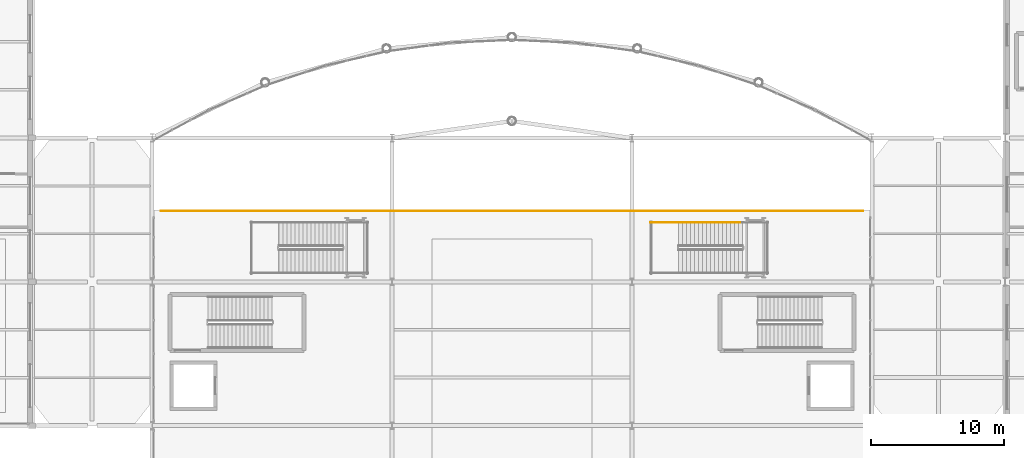
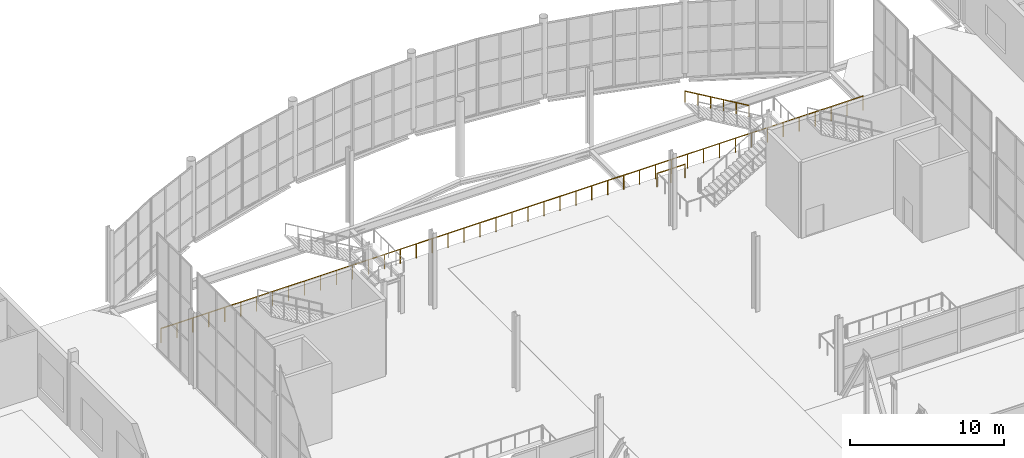
# One storey, part 186 of 191: 3 railings.
"""IFC4 building model written with IfcOpenShell, lengths in metres."""

from ifc_helpers import new_model, si_unit, direction, frame, origin, origin_2d, place, context, subcontext, project, spatial, circle, extrude, material, type_object, element, save


model = new_model("IFC4")

# Units and contexts
model_context = context("Model", 3, precision=1e-05, world=origin(), true_north=direction((0.0, 1.0)))
body_context = subcontext(model_context, "Body", "Model", "MODEL_VIEW")
ifc_project = project(units=[si_unit("LENGTHUNIT", "METRE"), si_unit("AREAUNIT", "SQUARE_METRE"), si_unit("VOLUMEUNIT", "CUBIC_METRE"), si_unit("PLANEANGLEUNIT", "RADIAN"), si_unit("MASSUNIT", "GRAM", prefix="KILO")], contexts=[model_context])

# Site, building, storey
site_placement = place(None, origin())
site = spatial("IfcSite", under=ifc_project, at=site_placement, CompositionType="ELEMENT")
building_placement = place(site_placement, origin())
building = spatial("IfcBuilding", under=site, at=building_placement, Name="Tamarisk Ironworks Central Station", CompositionType="ELEMENT")
storey_placement = place(building_placement, frame((0.0, 0.0, 6.60009765625)))
storey = spatial("IfcBuildingStorey", under=building, at=storey_placement, Name="L01", CompositionType="ELEMENT", Elevation=6.60009765625)

# Railings
ifc_material_1 = material(Name="Laminated solar-control low-E glass", Category="glass")
railing_type_1 = type_object("IfcRailingType", Name="RL-GUARD-GLASS", PredefinedType="BALUSTRADE", material=ifc_material_1)
railing_1_placement = place(storey_placement, frame((91.39990234375, 105.25, 0.0)))
element("IfcRailing", 1, at=railing_1_placement, inside=storey, type_object=railing_type_1, Name="L01 ST-MZ2 stair guard 9", PredefinedType="BALUSTRADE", context=body_context, shape_type="SweptSolid", body=[
    extrude(circle(Radius=0.02392578125, at=origin_2d()), frame((0.0, 0.0, 1.076171875), z_axis=(1.0, 0.0, 0.0), x_axis=(0.0, 1.0, 0.0)), (0.0, 0.0, 1.0), 2.10009765625),
    extrude(circle(Radius=0.02099609375, at=origin_2d()), origin(), (0.0, 0.0, 1.0), 1.052001953125),
    extrude(circle(Radius=0.02099609375, at=origin_2d()), frame((1.050048828125, 0.0, 0.0)), (0.0, 0.0, 1.0), 1.052001953125),
    extrude(circle(Radius=0.02099609375, at=origin_2d()), frame((2.10009765625, 0.0, 0.0)), (0.0, 0.0, 1.0), 1.052001953125),
])
railing_2_placement = place(storey_placement, frame((54.64990234375, 106.10009765625, 0.0)))
element("IfcRailing", 2, at=railing_2_placement, inside=storey, type_object=railing_type_1, Name="L01 concourse north overlook balustrade", PredefinedType="BALUSTRADE", context=body_context, shape_type="SweptSolid", body=[
    extrude(circle(Radius=0.02392578125, at=origin_2d()), frame((0.0, 0.0, 1.1259765625), z_axis=(1.0, 0.0, 0.0), x_axis=(0.0, 1.0, 0.0)), (0.0, 0.0, 1.0), 52.7001953125),
    extrude(circle(Radius=0.02099609375, at=origin_2d()), origin(), (0.0, 0.0, 1.0), 1.101806640625),
    extrude(circle(Radius=0.02099609375, at=origin_2d()), frame((1.19775390625, 0.0, 0.0)), (0.0, 0.0, 1.0), 1.101806640625),
    extrude(circle(Radius=0.02099609375, at=origin_2d()), frame((2.3955078125, 0.0, 0.0)), (0.0, 0.0, 1.0), 1.101806640625),
    extrude(circle(Radius=0.02099609375, at=origin_2d()), frame((3.59326171875, 0.0, 0.0)), (0.0, 0.0, 1.0), 1.101806640625),
    extrude(circle(Radius=0.02099609375, at=origin_2d()), frame((4.791015625, 0.0, 0.0)), (0.0, 0.0, 1.0), 1.101806640625),
    extrude(circle(Radius=0.02099609375, at=origin_2d()), frame((5.98876953125, 0.0, 0.0)), (0.0, 0.0, 1.0), 1.101806640625),
    extrude(circle(Radius=0.02099609375, at=origin_2d()), frame((7.186279296875, 0.0, 0.0)), (0.0, 0.0, 1.0), 1.101806640625),
    extrude(circle(Radius=0.02099609375, at=origin_2d()), frame((8.384033203125, 0.0, 0.0)), (0.0, 0.0, 1.0), 1.101806640625),
    extrude(circle(Radius=0.02099609375, at=origin_2d()), frame((9.581787109375, 0.0, 0.0)), (0.0, 0.0, 1.0), 1.101806640625),
    extrude(circle(Radius=0.02099609375, at=origin_2d()), frame((10.779541015625, 0.0, 0.0)), (0.0, 0.0, 1.0), 1.101806640625),
    extrude(circle(Radius=0.02099609375, at=origin_2d()), frame((11.977294921875, 0.0, 0.0)), (0.0, 0.0, 1.0), 1.101806640625),
    extrude(circle(Radius=0.02099609375, at=origin_2d()), frame((13.175048828125, 0.0, 0.0)), (0.0, 0.0, 1.0), 1.101806640625),
    extrude(circle(Radius=0.02099609375, at=origin_2d()), frame((14.372802734375, 0.0, 0.0)), (0.0, 0.0, 1.0), 1.101806640625),
    extrude(circle(Radius=0.02099609375, at=origin_2d()), frame((15.570556640625, 0.0, 0.0)), (0.0, 0.0, 1.0), 1.101806640625),
    extrude(circle(Radius=0.02099609375, at=origin_2d()), frame((16.768310546875, 0.0, 0.0)), (0.0, 0.0, 1.0), 1.101806640625),
    extrude(circle(Radius=0.02099609375, at=origin_2d()), frame((17.966064453125, 0.0, 0.0)), (0.0, 0.0, 1.0), 1.101806640625),
    extrude(circle(Radius=0.02099609375, at=origin_2d()), frame((19.163818359375, 0.0, 0.0)), (0.0, 0.0, 1.0), 1.101806640625),
    extrude(circle(Radius=0.02099609375, at=origin_2d()), frame((20.361328125, 0.0, 0.0)), (0.0, 0.0, 1.0), 1.101806640625),
    extrude(circle(Radius=0.02099609375, at=origin_2d()), frame((21.55908203125, 0.0, 0.0)), (0.0, 0.0, 1.0), 1.101806640625),
    extrude(circle(Radius=0.02099609375, at=origin_2d()), frame((22.7568359375, 0.0, 0.0)), (0.0, 0.0, 1.0), 1.101806640625),
    extrude(circle(Radius=0.02099609375, at=origin_2d()), frame((23.95458984375, 0.0, 0.0)), (0.0, 0.0, 1.0), 1.101806640625),
    extrude(circle(Radius=0.02099609375, at=origin_2d()), frame((25.15234375, 0.0, 0.0)), (0.0, 0.0, 1.0), 1.101806640625),
    extrude(circle(Radius=0.02099609375, at=origin_2d()), frame((26.35009765625, 0.0, 0.0)), (0.0, 0.0, 1.0), 1.101806640625),
    extrude(circle(Radius=0.02099609375, at=origin_2d()), frame((27.5478515625, 0.0, 0.0)), (0.0, 0.0, 1.0), 1.101806640625),
    extrude(circle(Radius=0.02099609375, at=origin_2d()), frame((28.74560546875, 0.0, 0.0)), (0.0, 0.0, 1.0), 1.101806640625),
    extrude(circle(Radius=0.02099609375, at=origin_2d()), frame((29.943359375, 0.0, 0.0)), (0.0, 0.0, 1.0), 1.101806640625),
    extrude(circle(Radius=0.02099609375, at=origin_2d()), frame((31.14111328125, 0.0, 0.0)), (0.0, 0.0, 1.0), 1.101806640625),
    extrude(circle(Radius=0.02099609375, at=origin_2d()), frame((32.3388671875, 0.0, 0.0)), (0.0, 0.0, 1.0), 1.101806640625),
    extrude(circle(Radius=0.02099609375, at=origin_2d()), frame((33.536376953125, 0.0, 0.0)), (0.0, 0.0, 1.0), 1.101806640625),
    extrude(circle(Radius=0.02099609375, at=origin_2d()), frame((34.734130859375, 0.0, 0.0)), (0.0, 0.0, 1.0), 1.101806640625),
    extrude(circle(Radius=0.02099609375, at=origin_2d()), frame((35.931884765625, 0.0, 0.0)), (0.0, 0.0, 1.0), 1.101806640625),
    extrude(circle(Radius=0.02099609375, at=origin_2d()), frame((37.129638671875, 0.0, 0.0)), (0.0, 0.0, 1.0), 1.101806640625),
    extrude(circle(Radius=0.02099609375, at=origin_2d()), frame((38.327392578125, 0.0, 0.0)), (0.0, 0.0, 1.0), 1.101806640625),
    extrude(circle(Radius=0.02099609375, at=origin_2d()), frame((39.525146484375, 0.0, 0.0)), (0.0, 0.0, 1.0), 1.101806640625),
    extrude(circle(Radius=0.02099609375, at=origin_2d()), frame((40.722900390625, 0.0, 0.0)), (0.0, 0.0, 1.0), 1.101806640625),
    extrude(circle(Radius=0.02099609375, at=origin_2d()), frame((41.920654296875, 0.0, 0.0)), (0.0, 0.0, 1.0), 1.101806640625),
    extrude(circle(Radius=0.02099609375, at=origin_2d()), frame((43.118408203125, 0.0, 0.0)), (0.0, 0.0, 1.0), 1.101806640625),
    extrude(circle(Radius=0.02099609375, at=origin_2d()), frame((44.316162109375, 0.0, 0.0)), (0.0, 0.0, 1.0), 1.101806640625),
    extrude(circle(Radius=0.02099609375, at=origin_2d()), frame((45.513916015625, 0.0, 0.0)), (0.0, 0.0, 1.0), 1.101806640625),
    extrude(circle(Radius=0.02099609375, at=origin_2d()), frame((46.71142578125, 0.0, 0.0)), (0.0, 0.0, 1.0), 1.101806640625),
    extrude(circle(Radius=0.02099609375, at=origin_2d()), frame((47.9091796875, 0.0, 0.0)), (0.0, 0.0, 1.0), 1.101806640625),
    extrude(circle(Radius=0.02099609375, at=origin_2d()), frame((49.10693359375, 0.0, 0.0)), (0.0, 0.0, 1.0), 1.101806640625),
    extrude(circle(Radius=0.02099609375, at=origin_2d()), frame((50.3046875, 0.0, 0.0)), (0.0, 0.0, 1.0), 1.101806640625),
    extrude(circle(Radius=0.02099609375, at=origin_2d()), frame((51.50244140625, 0.0, 0.0)), (0.0, 0.0, 1.0), 1.101806640625),
    extrude(circle(Radius=0.02099609375, at=origin_2d()), frame((52.7001953125, 0.0, 0.0)), (0.0, 0.0, 1.0), 1.101806640625),
])
ifc_material_2 = material(Name="Brushed stainless steel AISI 316", Category="steel")
railing_type_2 = type_object("IfcRailingType", Name="RL-HAND", PredefinedType="HANDRAIL", material=ifc_material_2)
railing_3_placement = place(storey_placement, frame((98.300048828125, 105.25, 3.17626953125)))
element("IfcRailing", 3, at=railing_3_placement, inside=storey, type_object=railing_type_2, Name="L01 ST-MZ2 stair handrail 2", PredefinedType="HANDRAIL", context=body_context, shape_type="SweptSolid", body=[
    extrude(circle(Radius=0.02392578125, at=origin_2d()), frame((0.0, 0.0, 0.8759765625), z_axis=(-0.861920691219, 0.0, 0.507043116558), x_axis=(0.0, -1.0, 0.0)), (0.0, 0.0, 1.0), 5.569091796875),
    extrude(circle(Radius=0.02099609375, at=origin_2d()), origin(), (0.0, 0.0, 1.0), 0.851806640625),
    extrude(circle(Radius=0.02099609375, at=origin_2d()), frame((-0.9599609375, 0.0, 0.564697265625)), (0.0, 0.0, 1.0), 0.851806640625),
    extrude(circle(Radius=0.02099609375, at=origin_2d()), frame((-1.919921875, 0.0, 1.12939453125)), (0.0, 0.0, 1.0), 0.851806640625),
    extrude(circle(Radius=0.02099609375, at=origin_2d()), frame((-2.880126953125, 0.0, 1.6943359375)), (0.0, 0.0, 1.0), 0.851806640625),
    extrude(circle(Radius=0.02099609375, at=origin_2d()), frame((-3.840087890625, 0.0, 2.259033203125)), (0.0, 0.0, 1.0), 0.851806640625),
    extrude(circle(Radius=0.02099609375, at=origin_2d()), frame((-4.800048828125, 0.0, 2.82373046875)), (0.0, 0.0, 1.0), 0.851806640625),
])

save(model, "model.ifc")
